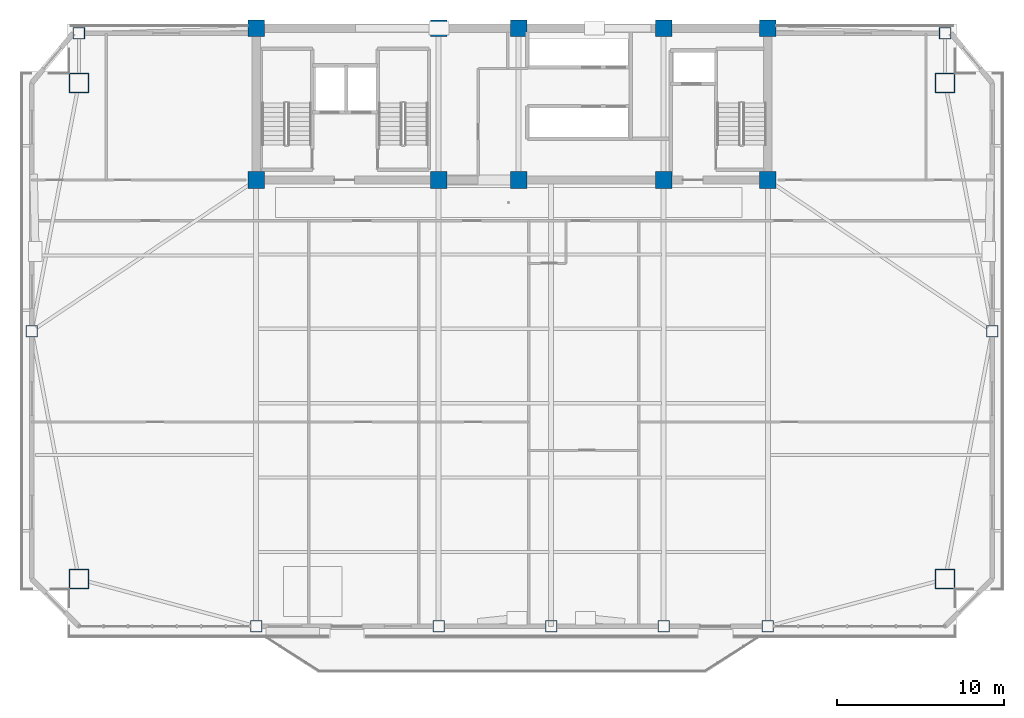
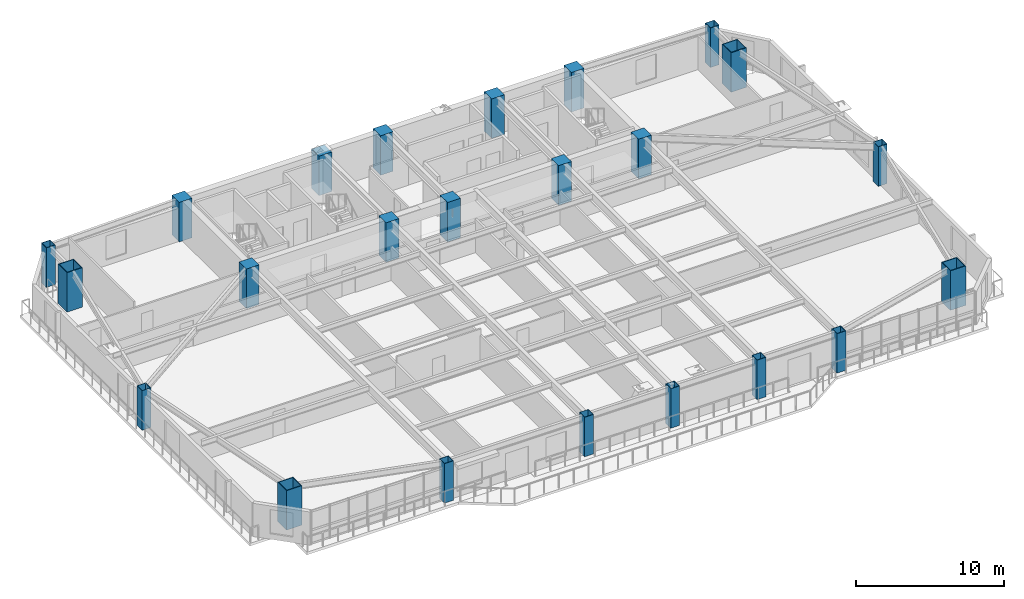
# One storey, part 1 of 17: 23 columns.
"""IFC4 building model written with IfcOpenShell, lengths in metres."""

from ifc_helpers import new_model, si_unit, direction, frame, origin, origin_2d, place, context, subcontext, project, spatial, rectangle, hollow_rectangle, extrude, source, transform, mapped, material, material_profile, profile_set, type_object, element, save


model = new_model("IFC4")

# Units and contexts
model_context = context("Model", 3, precision=1e-05, world=origin(), true_north=direction((0.0, 1.0)))
body_context = subcontext(model_context, "Body", "Model", "MODEL_VIEW")
ifc_project = project(units=[si_unit("LENGTHUNIT", "METRE"), si_unit("AREAUNIT", "SQUARE_METRE"), si_unit("VOLUMEUNIT", "CUBIC_METRE"), si_unit("PLANEANGLEUNIT", "RADIAN"), si_unit("MASSUNIT", "GRAM", prefix="KILO")], contexts=[model_context])

# Site, building, storey
site_placement = place(None, origin())
site = spatial("IfcSite", under=ifc_project, at=site_placement, CompositionType="ELEMENT")
building_placement = place(site_placement, origin())
building = spatial("IfcBuilding", under=site, at=building_placement, Name="Giltprow Tower", CompositionType="ELEMENT")
storey_placement = place(building_placement, frame((0.0, 0.0, 195.699951171875)))
storey = spatial("IfcBuildingStorey", under=building, at=storey_placement, Name="L49", CompositionType="ELEMENT", Elevation=195.699951171875)

# Columns
ifc_material_1 = material(Name="Concrete C50", Category="concrete")
ifc_material_profile_1 = material_profile(ifc_material_1, rectangle(XDim=1.0, YDim=1.0, at=origin_2d()), Name="RC 1000x1000")
ifc_profile_set_1 = profile_set([ifc_material_profile_1], Name="Concrete C50")
column_type_1 = type_object("IfcColumnType", Name="PIL-RC-1000-C50", PredefinedType="PILASTER", material=ifc_profile_set_1)
shared_shape_1 = source(origin(), body_context, "Body", "SweptSolid", [
    extrude(rectangle(XDim=1.0, YDim=1.0, at=origin_2d()), origin(), (0.0, 0.0, 1.0), 3.27001953125),
])
for number, where, z_axis, x_axis, name in (
    (1, (19.85009765625, 37.449951171875, 0.0), (0.0, 0.0, 1.0), (1.0, 0.0, 0.0), "L49 Core Boundary Pilaster 1-1"),
    (2, (19.85009765625, 46.550048828125, 0.0), (0.0, 0.0, 1.0), (1.0, 0.0, 0.0), "L49 Core Boundary Pilaster 1-2"),
    (3, (30.800048828125, 37.449951171875, 0.0), (0.0, 0.0, 1.0), (1.0, 0.0, 0.0), "L49 Core Boundary Pilaster 2-1"),
    (4, (30.800048828125, 46.550048828125, 0.0), (0.0, 0.0, 1.0), (1.0, 0.0, 0.0), "L49 Core Boundary Pilaster 2-2"),
    (5, (35.60009765625, 37.449951171875, 0.0), (0.0, 0.0, 1.0), (1.0, 0.0, 0.0), "L49 Core Boundary Pilaster 3-1"),
    (6, (35.60009765625, 46.550048828125, 0.0), (0.0, 0.0, 1.0), (1.0, 0.0, 0.0), "L49 Core Boundary Pilaster 3-2"),
    (7, (44.300048828125, 37.449951171875, 0.0), (0.0, 0.0, 1.0), (1.0, 0.0, 0.0), "L49 Core Boundary Pilaster 4-1"),
    (8, (44.300048828125, 46.550048828125, 0.0), (0.0, 0.0, 1.0), (1.0, 0.0, 0.0), "L49 Core Boundary Pilaster 4-2"),
    (9, (50.550048828125, 37.449951171875, 0.0), (0.0, 0.0, 1.0), (1.0, 0.0, 0.0), "L49 Core Boundary Pilaster 5-1"),
    (10, (50.550048828125, 46.550048828125, 0.0), (0.0, 0.0, 1.0), (1.0, 0.0, 0.0), "L49 Core Boundary Pilaster 5-2"),
):
    element("IfcColumn", number, at=place(storey_placement, frame(where, z_axis=z_axis, x_axis=x_axis)), inside=storey, type_object=column_type_1, Name=name, PredefinedType="PILASTER", context=body_context, shape_type="MappedRepresentation", body=[
        mapped(shared_shape_1, transform((0.0, 0.0, 0.0), x_axis=(1.0, 0.0, 0.0), y_axis=(0.0, 1.0, 0.0), z_axis=(0.0, 0.0, 1.0), scale=1.0)),
    ])
ifc_material_2 = material(Name="Structural steel Q420GJC", Category="steel")
ifc_material_profile_2 = material_profile(ifc_material_2, hollow_rectangle(XDim=1.199951171875, YDim=1.199951171875, WallThickness=0.054931640625, at=origin_2d()), Name="BOX 1200x1200x55")
ifc_profile_set_2 = profile_set([ifc_material_profile_2], Name="Structural steel Q420GJC")
column_type_2 = type_object("IfcColumnType", Name="COL-BOX-1200x1200x55", PredefinedType="COLUMN", material=ifc_profile_set_2)
shared_shape_2 = source(origin(), body_context, "Body", "SweptSolid", [
    extrude(hollow_rectangle(XDim=1.199951171875, YDim=1.199951171875, WallThickness=0.054931640625, at=origin_2d()), origin(), (0.0, 0.0, 1.0), 3.27001953125),
])
for number, where, z_axis, x_axis, name in (
    (11, (9.22412109375, 13.514892578125, 0.0), (0.0, 0.0, 1.0), (1.0, 0.0, 0.0), "L49 Mega-Column MC_SW"),
    (12, (61.177001953125, 13.514892578125, 0.0), (0.0, 0.0, 1.0), (1.0, 0.0, 0.0), "L49 Mega-Column MC_SE"),
    (13, (9.22412109375, 43.264892578125, 0.0), (0.0, 0.0, 1.0), (1.0, 0.0, 0.0), "L49 Mega-Column MC_NW"),
    (14, (61.177001953125, 43.264892578125, 0.0), (0.0, 0.0, 1.0), (1.0, 0.0, 0.0), "L49 Mega-Column MC_NE"),
):
    element("IfcColumn", number, at=place(storey_placement, frame(where, z_axis=z_axis, x_axis=x_axis)), inside=storey, type_object=column_type_2, Name=name, PredefinedType="COLUMN", context=body_context, shape_type="MappedRepresentation", body=[
        mapped(shared_shape_2, transform((0.0, 0.0, 0.0), x_axis=(1.0, 0.0, 0.0), y_axis=(0.0, 1.0, 0.0), z_axis=(0.0, 0.0, 1.0), scale=1.0)),
    ])
ifc_material_profile_3 = material_profile(ifc_material_2, hollow_rectangle(XDim=0.699951171875, YDim=0.699951171875, WallThickness=0.031982421875, at=origin_2d()), Name="BOX 700x700x32")
ifc_profile_set_3 = profile_set([ifc_material_profile_3], Name="Structural steel Q420GJC")
column_type_3 = type_object("IfcColumnType", Name="COL-BOX-700x700x32", PredefinedType="COLUMN", material=ifc_profile_set_3)
shared_shape_3 = source(origin(), body_context, "Body", "SweptSolid", [
    extrude(hollow_rectangle(XDim=0.699951171875, YDim=0.699951171875, WallThickness=0.031982421875, at=origin_2d()), origin(), (0.0, 0.0, 1.0), 3.27001953125),
])
for number, where, z_axis, x_axis, name in (
    (15, (19.85009765625, 10.679931640625, 0.0), (0.0, 0.0, 1.0), (1.0, 0.0, 0.0), "L49 Perimeter Column S1"),
    (16, (30.800048828125, 10.679931640625, 0.0), (0.0, 0.0, 1.0), (1.0, 0.0, 0.0), "L49 Perimeter Column S2"),
    (17, (37.550048828125, 10.679931640625, 0.0), (0.0, 0.0, 1.0), (1.0, 0.0, 0.0), "L49 Perimeter Column S_MID"),
    (18, (44.300048828125, 10.679931640625, 0.0), (0.0, 0.0, 1.0), (1.0, 0.0, 0.0), "L49 Perimeter Column S3"),
    (19, (50.550048828125, 10.679931640625, 0.0), (0.0, 0.0, 1.0), (1.0, 0.0, 0.0), "L49 Perimeter Column S4"),
    (20, (6.388916015625, 28.389892578125, 0.0), (0.0, 0.0, 1.0), (1.0, 0.0, 0.0), "L49 Perimeter Column W_MID"),
    (21, (64.011962890625, 28.389892578125, 0.0), (0.0, 0.0, 1.0), (1.0, 0.0, 0.0), "L49 Perimeter Column E_MID"),
    (22, (9.22412109375, 46.25, 0.0), (0.0, 0.0, 1.0), (1.0, 0.0, 0.0), "L49 Perimeter Column N_W"),
    (23, (61.177001953125, 46.25, 0.0), (0.0, 0.0, 1.0), (1.0, 0.0, 0.0), "L49 Perimeter Column N_E"),
):
    element("IfcColumn", number, at=place(storey_placement, frame(where, z_axis=z_axis, x_axis=x_axis)), inside=storey, type_object=column_type_3, Name=name, PredefinedType="COLUMN", context=body_context, shape_type="MappedRepresentation", body=[
        mapped(shared_shape_3, transform((0.0, 0.0, 0.0), x_axis=(1.0, 0.0, 0.0), y_axis=(0.0, 1.0, 0.0), z_axis=(0.0, 0.0, 1.0), scale=1.0)),
    ])

save(model, "model.ifc")
